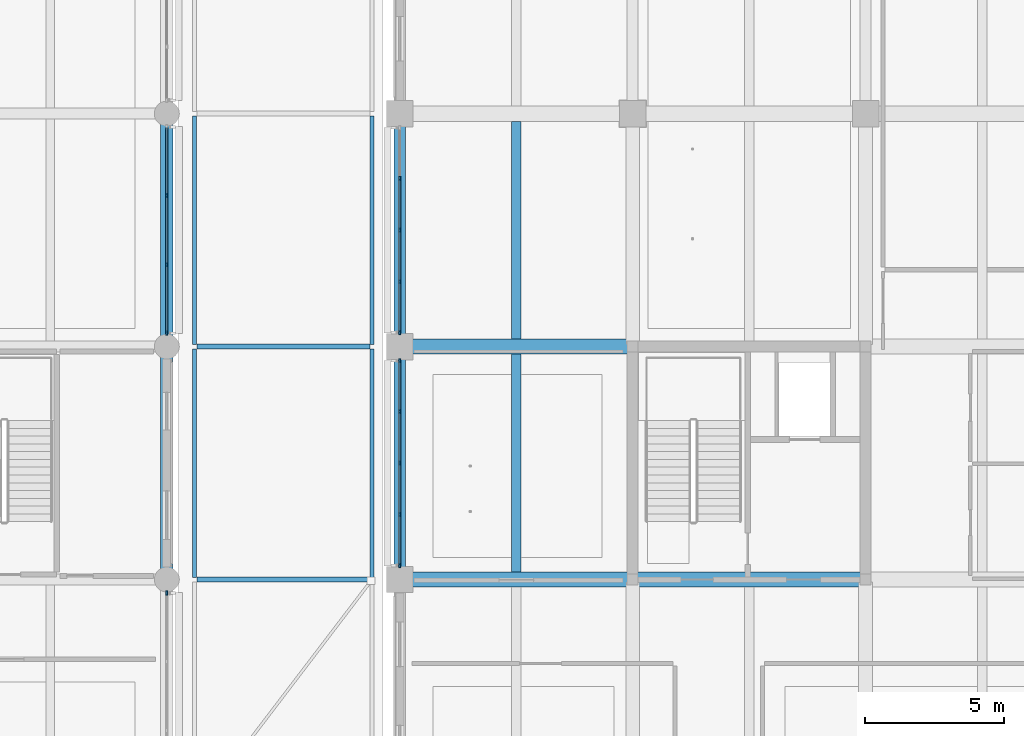
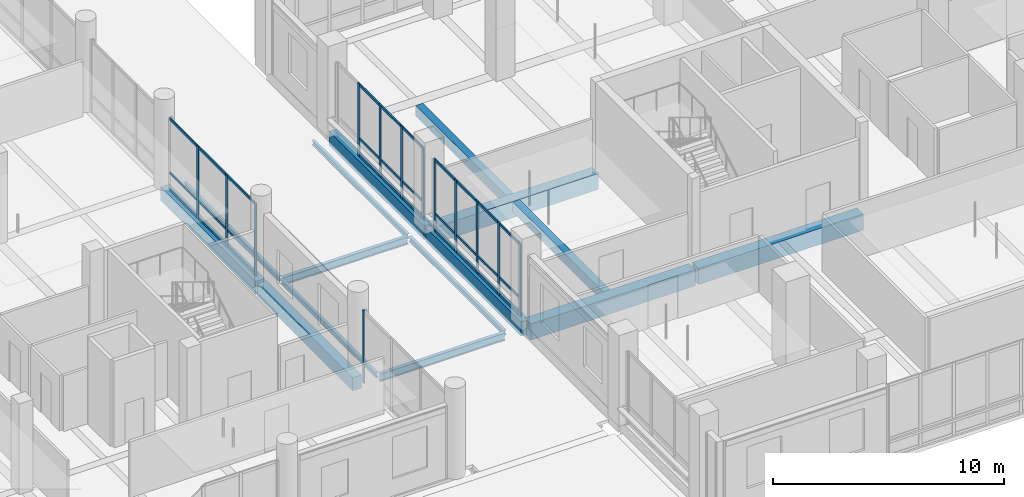
# One storey, part 10 of 128: 43 members, 15 beams, 4 elements without a shape of their own.
"""IFC4 building model written with IfcOpenShell, lengths in metres."""

from ifc_helpers import new_model, si_unit, direction, frame, origin, origin_2d, place, context, subcontext, project, spatial, rectangle, i_section, extrude, material, layer, layer_set, material_profile, profile_set, type_object, element, aggregate, save


model = new_model("IFC4")

# Units and contexts
model_context = context("Model", 3, precision=1e-05, world=origin(), true_north=direction((0.0, 1.0)))
body_context = subcontext(model_context, "Body", "Model", "MODEL_VIEW")
ifc_project = project(units=[si_unit("LENGTHUNIT", "METRE"), si_unit("AREAUNIT", "SQUARE_METRE"), si_unit("VOLUMEUNIT", "CUBIC_METRE"), si_unit("PLANEANGLEUNIT", "RADIAN"), si_unit("MASSUNIT", "GRAM", prefix="KILO")], contexts=[model_context])

# Site, building, storey
site_placement = place(None, origin())
site = spatial("IfcSite", under=ifc_project, at=site_placement, CompositionType="ELEMENT")
building_placement = place(site_placement, origin())
building = spatial("IfcBuilding", under=site, at=building_placement, Name="Telukmera Botanical Conservatory", CompositionType="ELEMENT")
storey_placement = place(building_placement, frame((0.0, 0.0, 5.39990234375)))
storey = spatial("IfcBuildingStorey", under=building, at=storey_placement, Name="L01", CompositionType="ELEMENT", Elevation=5.39990234375)

# Beams
ifc_material_1 = material(Name="Concrete C40/50", Category="concrete")
ifc_material_profile_1 = material_profile(ifc_material_1, rectangle(XDim=0.449951171875, YDim=0.699951171875, at=origin_2d()), Name="RC 450x700")
ifc_profile_set_1 = profile_set([ifc_material_profile_1], Name="Concrete C40/50")
beam_type_1 = type_object("IfcBeamType", Name="Beam_B15", PredefinedType="BEAM", material=ifc_profile_set_1)
for number, where, z_axis, x_axis, name in (
    (1, (42.0, 26.080078125, -0.349853515625), (0.0, 1.0, 0.0), (-1.0, 0.0, 0.0), "Visitor Wing Transverse Beam L01"),
    (2, (42.0, 34.47998046875, -0.349853515625), (0.0, 1.0, 0.0), (-1.0, 0.0, 0.0), "Visitor Wing Transverse Beam L01"),
):
    element("IfcBeam", number, at=place(storey_placement, frame(where, z_axis=z_axis, x_axis=x_axis)), inside=storey, type_object=beam_type_1, Name=name, PredefinedType="BEAM", context=body_context, shape_type="SweptSolid", body=[
        extrude(rectangle(XDim=0.449951171875, YDim=0.699951171875, at=origin_2d()), origin(), (0.0, 0.0, 1.0), 8.239990234375),
    ])
ifc_material_profile_2 = material_profile(ifc_material_1, rectangle(XDim=0.35009765625, YDim=0.550048828125, at=origin_2d()), Name="RC 350x550")
ifc_profile_set_2 = profile_set([ifc_material_profile_2], Name="Concrete C40/50")
beam_type_2 = type_object("IfcBeamType", Name="Beam_B21", PredefinedType="JOIST", material=ifc_profile_set_2)
beam_1_placement = place(storey_placement, frame((54.60009765625, 26.27490234375, -0.27490234375), z_axis=(0.0, 1.0, 0.0), x_axis=(-1.0, 0.0, 0.0)))
element("IfcBeam", 3, at=beam_1_placement, inside=storey, type_object=beam_type_2, Name="Tower Secondary Floor Joist L01", PredefinedType="JOIST", context=body_context, shape_type="SweptSolid", body=[
    extrude(rectangle(XDim=0.35009765625, YDim=0.550048828125, at=origin_2d()), origin(), (0.0, 0.0, 1.0), 7.85009765625),
])
beam_2_placement = place(storey_placement, frame((54.60009765625, 34.675048828125, -0.27490234375), z_axis=(0.0, 1.0, 0.0), x_axis=(-1.0, 0.0, 0.0)))
element("IfcBeam", 4, at=beam_2_placement, inside=storey, type_object=beam_type_2, Name="Tower Secondary Floor Joist L01", PredefinedType="JOIST", context=body_context, shape_type="SweptSolid", body=[
    extrude(rectangle(XDim=0.35009765625, YDim=0.550048828125, at=origin_2d()), origin(), (0.0, 0.0, 1.0), 7.849853515625),
])
ifc_material_profile_3 = material_profile(ifc_material_1, rectangle(XDim=0.550048828125, YDim=0.85009765625, at=origin_2d()), Name="RC 550x850")
ifc_profile_set_3 = profile_set([ifc_material_profile_3], Name="Concrete C40/50")
beam_type_3 = type_object("IfcBeamType", Name="Beam_B4", PredefinedType="BEAM", material=ifc_profile_set_3)
beam_3_placement = place(storey_placement, frame((50.47998046875, 26.0, -0.4248046875), z_axis=(1.0, 0.0, 0.0), x_axis=(0.0, 1.0, 0.0)))
element("IfcBeam", 5, at=beam_3_placement, inside=storey, type_object=beam_type_3, Name="Tower Grid Beam L01", PredefinedType="BEAM", context=body_context, shape_type="SweptSolid", body=[
    extrude(rectangle(XDim=0.550048828125, YDim=0.85009765625, at=origin_2d()), origin(), (0.0, 0.0, 1.0), 8.239990234375),
])
beam_4_placement = place(storey_placement, frame((58.8798828125, 26.0, -0.4248046875), z_axis=(1.0, 0.0, 0.0), x_axis=(0.0, 1.0, 0.0)))
element("IfcBeam", 6, at=beam_4_placement, inside=storey, type_object=beam_type_3, Name="Tower Grid Beam L01", PredefinedType="BEAM", context=body_context, shape_type="SweptSolid", body=[
    extrude(rectangle(XDim=0.550048828125, YDim=0.85009765625, at=origin_2d()), origin(), (0.0, 0.0, 1.0), 8.240234375),
])
beam_5_placement = place(storey_placement, frame((50.47998046875, 34.39990234375, -0.4248046875), z_axis=(1.0, 0.0, 0.0), x_axis=(0.0, 1.0, 0.0)))
element("IfcBeam", 7, at=beam_5_placement, inside=storey, type_object=beam_type_3, Name="Tower Grid Beam L01", PredefinedType="BEAM", context=body_context, shape_type="SweptSolid", body=[
    extrude(rectangle(XDim=0.550048828125, YDim=0.85009765625, at=origin_2d()), origin(), (0.0, 0.0, 1.0), 8.239990234375),
])
ifc_material_2 = material(Name="Steel S355", Category="steel")
ifc_material_profile_4 = material_profile(ifc_material_2, i_section(OverallWidth=0.1787109375, OverallDepth=0.409423828125, WebThickness=0.0087890625, FlangeThickness=0.014404296875, FilletRadius=0.01025390625, at=origin_2d()), Name="UB 406x178x67")
ifc_profile_set_4 = profile_set([ifc_material_profile_4], Name="Steel S355")
beam_type_4 = type_object("IfcBeamType", Name="Beam_SB4", PredefinedType="BEAM", material=ifc_profile_set_4)
for number, where, z_axis, x_axis, name in (
    (8, (43.080078125, 26.0, -0.364501953125), (1.0, 0.0, 0.0), (0.0, 1.0, 0.0), "Canopy Steel Girder west_arcade"),
    (9, (43.080078125, 34.39990234375, -0.364501953125), (1.0, 0.0, 0.0), (0.0, 1.0, 0.0), "Canopy Steel Girder west_arcade"),
):
    element("IfcBeam", number, at=place(storey_placement, frame(where, z_axis=z_axis, x_axis=x_axis)), inside=storey, type_object=beam_type_4, Name=name, PredefinedType="BEAM", context=body_context, shape_type="SweptSolid", body=[
        extrude(i_section(OverallWidth=0.1787109375, OverallDepth=0.409423828125, WebThickness=0.0087890625, FlangeThickness=0.014404296875, FilletRadius=0.01025390625, at=origin_2d()), origin(), (0.0, 0.0, 1.0), 6.239990234375),
    ])
ifc_material_profile_5 = material_profile(ifc_material_2, i_section(OverallWidth=0.146484375, OverallDepth=0.256103515625, WebThickness=0.00634765625, FlangeThickness=0.010986328125, FilletRadius=0.007568359375, at=origin_2d()), Name="UB 254x146x37")
ifc_profile_set_5 = profile_set([ifc_material_profile_5], Name="Steel S355")
beam_type_5 = type_object("IfcBeamType", Name="Beam_SB7", PredefinedType="JOIST", material=ifc_profile_set_5)
for number, where, z_axis, x_axis, name in (
    (10, (43.0, 26.080078125, -0.287841796875), (0.0, 1.0, 0.0), (-1.0, 0.0, 0.0), "Canopy Steel Purlin west_arcade"),
    (11, (43.0, 34.47998046875, -0.287841796875), (0.0, 1.0, 0.0), (-1.0, 0.0, 0.0), "Canopy Steel Purlin west_arcade"),
    (12, (49.39990234375, 26.080078125, -0.287841796875), (0.0, 1.0, 0.0), (-1.0, 0.0, 0.0), "Canopy Steel Purlin west_arcade"),
    (13, (49.39990234375, 34.47998046875, -0.287841796875), (0.0, 1.0, 0.0), (-1.0, 0.0, 0.0), "Canopy Steel Purlin west_arcade"),
):
    element("IfcBeam", number, at=place(storey_placement, frame(where, z_axis=z_axis, x_axis=x_axis)), inside=storey, type_object=beam_type_5, Name=name, PredefinedType="JOIST", context=body_context, shape_type="SweptSolid", body=[
        extrude(i_section(OverallWidth=0.146484375, OverallDepth=0.256103515625, WebThickness=0.00634765625, FlangeThickness=0.010986328125, FilletRadius=0.007568359375, at=origin_2d()), origin(), (0.0, 0.0, 1.0), 8.239990234375),
    ])
ifc_material_3 = material(Name="Precast concrete C40/50", Category="concrete")
ifc_material_profile_6 = material_profile(ifc_material_3, rectangle(XDim=0.39990234375, YDim=0.75, at=origin_2d()), Name="PC 400x750")
ifc_profile_set_6 = profile_set([ifc_material_profile_6], Name="Precast concrete C40/50")
beam_type_6 = type_object("IfcBeamType", Name="Beam_SP1", PredefinedType="SPANDREL", material=ifc_profile_set_6)
for number, where, z_axis, x_axis, name in (
    (14, (50.39990234375, 26.080078125, -0.375), (0.0, 1.0, 0.0), (-1.0, 0.0, 0.0), "Tower Transverse Beam L01"),
    (15, (50.39990234375, 34.47998046875, -0.375), (0.0, 1.0, 0.0), (-1.0, 0.0, 0.0), "Tower Transverse Beam L01"),
):
    element("IfcBeam", number, at=place(storey_placement, frame(where, z_axis=z_axis, x_axis=x_axis)), inside=storey, type_object=beam_type_6, Name=name, PredefinedType="SPANDREL", context=body_context, shape_type="SweptSolid", body=[
        extrude(rectangle(XDim=0.39990234375, YDim=0.75, at=origin_2d()), origin(), (0.0, 0.0, 1.0), 8.239990234375),
    ])

# Curtain wall, member
ifc_material_4 = material(Name="Anodised aluminium 6063-T6", Category="aluminium")
ifc_layer_1 = layer(ifc_material_4, 0.179931640625)
ifc_layer_set_1 = layer_set([ifc_layer_1], Name="Anodised aluminium 6063-T6")
curtain_wall_type_1 = type_object("IfcCurtainWallType", Name="Visitor Gallery Second Floor Curtain Wall 2400 Mod", PredefinedType="USERDEFINED", material=ifc_layer_set_1)
curtain_wall_1_placement = place(storey_placement, origin())
curtain_wall_1 = element("IfcCurtainWall", 16, at=curtain_wall_1_placement, inside=storey, type_object=curtain_wall_type_1, Name="Unitised Curtain Wall CW09 V3:L01:E1", ObjectType="UNITISED CURTAIN WALL", PredefinedType="USERDEFINED")
ifc_material_profile_7 = material_profile(ifc_material_4, rectangle(XDim=0.06494140625, YDim=0.159912109375, at=origin_2d()), Name="ALU MULL 65x160")
ifc_profile_set_7 = profile_set([ifc_material_profile_7], Name="Anodised aluminium 6063-T6")
member_type_1 = type_object("IfcMemberType", Name="Curtain Wall Extruded Mullion 65x160", PredefinedType="MULLION", material=ifc_profile_set_7)
member_1_placement = place(storey_placement, frame((42.0, 25.515380859375, 0.0), z_axis=(0.0, 0.0, 1.0), x_axis=(-1.0, 0.0, 0.0)))
member_1 = element("IfcMember", 17, at=member_1_placement, type_object=member_type_1, Name="CW09 mullion 4", PredefinedType="MULLION", context=body_context, shape_type="SweptSolid", body=[
    extrude(rectangle(XDim=0.06494140625, YDim=0.159912109375, at=origin_2d()), origin(), (0.0, 0.0, 1.0), 3.85009765625),
])
aggregate(curtain_wall_1, [member_1])

# Curtain wall, members
curtain_wall_2_placement = place(storey_placement, origin())
curtain_wall_2 = element("IfcCurtainWall", 18, at=curtain_wall_2_placement, inside=storey, type_object=curtain_wall_type_1, Name="Unitised Curtain Wall CW09 V3:L01:E3", ObjectType="UNITISED CURTAIN WALL", PredefinedType="USERDEFINED")
member_2_placement = place(storey_placement, frame((42.0, 34.884521484375, 0.0), z_axis=(0.0, 0.0, 1.0), x_axis=(-1.0, 0.0, 0.0)))
member_2 = element("IfcMember", 19, at=member_2_placement, type_object=member_type_1, Name="CW09 mullion 1", PredefinedType="MULLION", context=body_context, shape_type="SweptSolid", body=[
    extrude(rectangle(XDim=0.06494140625, YDim=0.159912109375, at=origin_2d()), origin(), (0.0, 0.0, 1.0), 3.85009765625),
])
member_3_placement = place(storey_placement, frame((42.0, 37.3505859375, 0.0), z_axis=(0.0, 0.0, 1.0), x_axis=(-1.0, 0.0, 0.0)))
member_3 = element("IfcMember", 20, at=member_3_placement, type_object=member_type_1, Name="CW09 mullion 2", PredefinedType="MULLION", context=body_context, shape_type="SweptSolid", body=[
    extrude(rectangle(XDim=0.06494140625, YDim=0.159912109375, at=origin_2d()), origin(), (0.0, 0.0, 1.0), 3.85009765625),
])
member_4_placement = place(storey_placement, frame((42.0, 39.849365234375, 0.0), z_axis=(0.0, 0.0, 1.0), x_axis=(-1.0, 0.0, 0.0)))
member_4 = element("IfcMember", 21, at=member_4_placement, type_object=member_type_1, Name="CW09 mullion 3", PredefinedType="MULLION", context=body_context, shape_type="SweptSolid", body=[
    extrude(rectangle(XDim=0.06494140625, YDim=0.159912109375, at=origin_2d()), origin(), (0.0, 0.0, 1.0), 3.85009765625),
])

ifc_layer_2 = layer(ifc_material_4, 0.179931640625)
ifc_layer_set_2 = layer_set([ifc_layer_2], Name="Anodised aluminium 6063-T6")
curtain_wall_type_2 = type_object("IfcCurtainWallType", Name="Tower Reference Library Curtain Wall", PredefinedType="USERDEFINED", material=ifc_layer_set_2)
curtain_wall_3_placement = place(storey_placement, origin())
curtain_wall_3 = element("IfcCurtainWall", 22, at=curtain_wall_3_placement, inside=storey, type_object=curtain_wall_type_2, Name="Unitised Curtain Wall CW13 V4:L01:W3", ObjectType="UNITISED CURTAIN WALL", PredefinedType="USERDEFINED")
member_5_placement = place(storey_placement, frame((50.39990234375, 26.509521484375, 0.0), z_axis=(0.0, 0.0, 1.0), x_axis=(-1.0, 0.0, 0.0)))
member_5 = element("IfcMember", 23, at=member_5_placement, type_object=member_type_1, Name="CW13 mullion 1", PredefinedType="MULLION", context=body_context, shape_type="SweptSolid", body=[
    extrude(rectangle(XDim=0.06494140625, YDim=0.159912109375, at=origin_2d()), origin(), (0.0, 0.0, 1.0), 3.85009765625),
])
member_6_placement = place(storey_placement, frame((50.39990234375, 28.33837890625, 0.0), z_axis=(0.0, 0.0, 1.0), x_axis=(-1.0, 0.0, 0.0)))
member_6 = element("IfcMember", 24, at=member_6_placement, type_object=member_type_1, Name="CW13 mullion 2", PredefinedType="MULLION", context=body_context, shape_type="SweptSolid", body=[
    extrude(rectangle(XDim=0.06494140625, YDim=0.159912109375, at=origin_2d()), origin(), (0.0, 0.0, 1.0), 3.85009765625),
])
member_7_placement = place(storey_placement, frame((50.39990234375, 30.199951171875, 0.0), z_axis=(0.0, 0.0, 1.0), x_axis=(-1.0, 0.0, 0.0)))
member_7 = element("IfcMember", 25, at=member_7_placement, type_object=member_type_1, Name="CW13 mullion 3", PredefinedType="MULLION", context=body_context, shape_type="SweptSolid", body=[
    extrude(rectangle(XDim=0.06494140625, YDim=0.159912109375, at=origin_2d()), origin(), (0.0, 0.0, 1.0), 3.85009765625),
])
member_8_placement = place(storey_placement, frame((50.39990234375, 32.0615234375, 0.0), z_axis=(0.0, 0.0, 1.0), x_axis=(-1.0, 0.0, 0.0)))
member_8 = element("IfcMember", 26, at=member_8_placement, type_object=member_type_1, Name="CW13 mullion 4", PredefinedType="MULLION", context=body_context, shape_type="SweptSolid", body=[
    extrude(rectangle(XDim=0.06494140625, YDim=0.159912109375, at=origin_2d()), origin(), (0.0, 0.0, 1.0), 3.85009765625),
])
member_9_placement = place(storey_placement, frame((50.39990234375, 33.890380859375, 0.0), z_axis=(0.0, 0.0, 1.0), x_axis=(-1.0, 0.0, 0.0)))
member_9 = element("IfcMember", 27, at=member_9_placement, type_object=member_type_1, Name="CW13 mullion 5", PredefinedType="MULLION", context=body_context, shape_type="SweptSolid", body=[
    extrude(rectangle(XDim=0.06494140625, YDim=0.159912109375, at=origin_2d()), origin(), (0.0, 0.0, 1.0), 3.85009765625),
])

curtain_wall_4_placement = place(storey_placement, origin())
curtain_wall_4 = element("IfcCurtainWall", 28, at=curtain_wall_4_placement, inside=storey, type_object=curtain_wall_type_2, Name="Unitised Curtain Wall CW13 V4:L01:W4", ObjectType="UNITISED CURTAIN WALL", PredefinedType="USERDEFINED")
member_10_placement = place(storey_placement, frame((50.39990234375, 34.909423828125, 0.0), z_axis=(0.0, 0.0, 1.0), x_axis=(-1.0, 0.0, 0.0)))
member_10 = element("IfcMember", 29, at=member_10_placement, type_object=member_type_1, Name="CW13 mullion 1", PredefinedType="MULLION", context=body_context, shape_type="SweptSolid", body=[
    extrude(rectangle(XDim=0.06494140625, YDim=0.159912109375, at=origin_2d()), origin(), (0.0, 0.0, 1.0), 3.85009765625),
])
member_11_placement = place(storey_placement, frame((50.39990234375, 36.738525390625, 0.0), z_axis=(0.0, 0.0, 1.0), x_axis=(-1.0, 0.0, 0.0)))
member_11 = element("IfcMember", 30, at=member_11_placement, type_object=member_type_1, Name="CW13 mullion 2", PredefinedType="MULLION", context=body_context, shape_type="SweptSolid", body=[
    extrude(rectangle(XDim=0.06494140625, YDim=0.159912109375, at=origin_2d()), origin(), (0.0, 0.0, 1.0), 3.85009765625),
])
member_12_placement = place(storey_placement, frame((50.39990234375, 38.60009765625, 0.0), z_axis=(0.0, 0.0, 1.0), x_axis=(-1.0, 0.0, 0.0)))
member_12 = element("IfcMember", 31, at=member_12_placement, type_object=member_type_1, Name="CW13 mullion 3", PredefinedType="MULLION", context=body_context, shape_type="SweptSolid", body=[
    extrude(rectangle(XDim=0.06494140625, YDim=0.159912109375, at=origin_2d()), origin(), (0.0, 0.0, 1.0), 3.85009765625),
])
member_13_placement = place(storey_placement, frame((50.39990234375, 40.46142578125, 0.0), z_axis=(0.0, 0.0, 1.0), x_axis=(-1.0, 0.0, 0.0)))
member_13 = element("IfcMember", 32, at=member_13_placement, type_object=member_type_1, Name="CW13 mullion 4", PredefinedType="MULLION", context=body_context, shape_type="SweptSolid", body=[
    extrude(rectangle(XDim=0.06494140625, YDim=0.159912109375, at=origin_2d()), origin(), (0.0, 0.0, 1.0), 3.85009765625),
])

# Member
ifc_material_profile_8 = material_profile(ifc_material_4, rectangle(XDim=0.06494140625, YDim=0.1298828125, at=origin_2d()), Name="ALU TRAN 65x130")
ifc_profile_set_8 = profile_set([ifc_material_profile_8], Name="Anodised aluminium 6063-T6")
member_type_2 = type_object("IfcMemberType", Name="Curtain Wall Extruded Transom 65x130", PredefinedType="USERDEFINED", material=ifc_profile_set_8)
member_14_placement = place(storey_placement, frame((42.0, 34.9169921875, 0.065185546875), z_axis=(0.0, 1.0, 0.0), x_axis=(-1.0, 0.0, 0.0)))
member_14 = element("IfcMember", 33, at=member_14_placement, type_object=member_type_2, Name="CW09 transom 1.1", ObjectType="TRANSOM", PredefinedType="USERDEFINED", context=body_context, shape_type="SweptSolid", body=[
    extrude(rectangle(XDim=0.06494140625, YDim=0.1298828125, at=origin_2d()), origin(), (0.0, 0.0, 1.0), 2.401123046875),
])

member_15_placement = place(storey_placement, frame((42.0, 34.9169921875, 0.9501953125), z_axis=(0.0, 1.0, 0.0), x_axis=(-1.0, 0.0, 0.0)))
member_15 = element("IfcMember", 34, at=member_15_placement, type_object=member_type_2, Name="CW09 transom 1.2", ObjectType="TRANSOM", PredefinedType="USERDEFINED", context=body_context, shape_type="SweptSolid", body=[
    extrude(rectangle(XDim=0.06494140625, YDim=0.1298828125, at=origin_2d()), origin(), (0.0, 0.0, 1.0), 2.401123046875),
])

member_16_placement = place(storey_placement, frame((42.0, 34.9169921875, 3.78515625), z_axis=(0.0, 1.0, 0.0), x_axis=(-1.0, 0.0, 0.0)))
member_16 = element("IfcMember", 35, at=member_16_placement, type_object=member_type_2, Name="CW09 transom 1.3", ObjectType="TRANSOM", PredefinedType="USERDEFINED", context=body_context, shape_type="SweptSolid", body=[
    extrude(rectangle(XDim=0.06494140625, YDim=0.1298828125, at=origin_2d()), origin(), (0.0, 0.0, 1.0), 2.401123046875),
])

member_17_placement = place(storey_placement, frame((42.0, 37.383056640625, 0.065185546875), z_axis=(0.0, 1.0, 0.0), x_axis=(-1.0, 0.0, 0.0)))
member_17 = element("IfcMember", 36, at=member_17_placement, type_object=member_type_2, Name="CW09 transom 2.1", ObjectType="TRANSOM", PredefinedType="USERDEFINED", context=body_context, shape_type="SweptSolid", body=[
    extrude(rectangle(XDim=0.06494140625, YDim=0.1298828125, at=origin_2d()), origin(), (0.0, 0.0, 1.0), 2.433837890625),
])

member_18_placement = place(storey_placement, frame((42.0, 37.383056640625, 0.9501953125), z_axis=(0.0, 1.0, 0.0), x_axis=(-1.0, 0.0, 0.0)))
member_18 = element("IfcMember", 37, at=member_18_placement, type_object=member_type_2, Name="CW09 transom 2.2", ObjectType="TRANSOM", PredefinedType="USERDEFINED", context=body_context, shape_type="SweptSolid", body=[
    extrude(rectangle(XDim=0.06494140625, YDim=0.1298828125, at=origin_2d()), origin(), (0.0, 0.0, 1.0), 2.433837890625),
])

member_19_placement = place(storey_placement, frame((42.0, 37.383056640625, 3.78515625), z_axis=(0.0, 1.0, 0.0), x_axis=(-1.0, 0.0, 0.0)))
member_19 = element("IfcMember", 38, at=member_19_placement, type_object=member_type_2, Name="CW09 transom 2.3", ObjectType="TRANSOM", PredefinedType="USERDEFINED", context=body_context, shape_type="SweptSolid", body=[
    extrude(rectangle(XDim=0.06494140625, YDim=0.1298828125, at=origin_2d()), origin(), (0.0, 0.0, 1.0), 2.433837890625),
])

member_20_placement = place(storey_placement, frame((42.0, 39.8818359375, 0.065185546875), z_axis=(0.0, 1.0, 0.0), x_axis=(-1.0, 0.0, 0.0)))
member_20 = element("IfcMember", 39, at=member_20_placement, type_object=member_type_2, Name="CW09 transom 3.1", ObjectType="TRANSOM", PredefinedType="USERDEFINED", context=body_context, shape_type="SweptSolid", body=[
    extrude(rectangle(XDim=0.06494140625, YDim=0.1298828125, at=origin_2d()), origin(), (0.0, 0.0, 1.0), 2.401123046875),
])

member_21_placement = place(storey_placement, frame((42.0, 39.8818359375, 0.9501953125), z_axis=(0.0, 1.0, 0.0), x_axis=(-1.0, 0.0, 0.0)))
member_21 = element("IfcMember", 40, at=member_21_placement, type_object=member_type_2, Name="CW09 transom 3.2", ObjectType="TRANSOM", PredefinedType="USERDEFINED", context=body_context, shape_type="SweptSolid", body=[
    extrude(rectangle(XDim=0.06494140625, YDim=0.1298828125, at=origin_2d()), origin(), (0.0, 0.0, 1.0), 2.401123046875),
])

member_22_placement = place(storey_placement, frame((42.0, 39.8818359375, 3.78515625), z_axis=(0.0, 1.0, 0.0), x_axis=(-1.0, 0.0, 0.0)))
member_22 = element("IfcMember", 41, at=member_22_placement, type_object=member_type_2, Name="CW09 transom 3.3", ObjectType="TRANSOM", PredefinedType="USERDEFINED", context=body_context, shape_type="SweptSolid", body=[
    extrude(rectangle(XDim=0.06494140625, YDim=0.1298828125, at=origin_2d()), origin(), (0.0, 0.0, 1.0), 2.401123046875),
])

aggregate(curtain_wall_2, [member_2, member_3, member_4, member_14, member_15, member_16, member_17, member_18, member_19, member_20, member_21, member_22])

member_23_placement = place(storey_placement, frame((50.39990234375, 26.5419921875, 0.065185546875), z_axis=(0.0, 1.0, 0.0), x_axis=(-1.0, 0.0, 0.0)))
member_23 = element("IfcMember", 42, at=member_23_placement, type_object=member_type_2, Name="CW13 transom 1.1", ObjectType="TRANSOM", PredefinedType="USERDEFINED", context=body_context, shape_type="SweptSolid", body=[
    extrude(rectangle(XDim=0.06494140625, YDim=0.1298828125, at=origin_2d()), origin(), (0.0, 0.0, 1.0), 1.763916015625),
])

member_24_placement = place(storey_placement, frame((50.39990234375, 26.5419921875, 0.9501953125), z_axis=(0.0, 1.0, 0.0), x_axis=(-1.0, 0.0, 0.0)))
member_24 = element("IfcMember", 43, at=member_24_placement, type_object=member_type_2, Name="CW13 transom 1.2", ObjectType="TRANSOM", PredefinedType="USERDEFINED", context=body_context, shape_type="SweptSolid", body=[
    extrude(rectangle(XDim=0.06494140625, YDim=0.1298828125, at=origin_2d()), origin(), (0.0, 0.0, 1.0), 1.763916015625),
])

member_25_placement = place(storey_placement, frame((50.39990234375, 26.5419921875, 3.78515625), z_axis=(0.0, 1.0, 0.0), x_axis=(-1.0, 0.0, 0.0)))
member_25 = element("IfcMember", 44, at=member_25_placement, type_object=member_type_2, Name="CW13 transom 1.3", ObjectType="TRANSOM", PredefinedType="USERDEFINED", context=body_context, shape_type="SweptSolid", body=[
    extrude(rectangle(XDim=0.06494140625, YDim=0.1298828125, at=origin_2d()), origin(), (0.0, 0.0, 1.0), 1.763916015625),
])

member_26_placement = place(storey_placement, frame((50.39990234375, 28.37109375, 0.065185546875), z_axis=(0.0, 1.0, 0.0), x_axis=(-1.0, 0.0, 0.0)))
member_26 = element("IfcMember", 45, at=member_26_placement, type_object=member_type_2, Name="CW13 transom 2.1", ObjectType="TRANSOM", PredefinedType="USERDEFINED", context=body_context, shape_type="SweptSolid", body=[
    extrude(rectangle(XDim=0.06494140625, YDim=0.1298828125, at=origin_2d()), origin(), (0.0, 0.0, 1.0), 1.79638671875),
])

member_27_placement = place(storey_placement, frame((50.39990234375, 28.37109375, 0.9501953125), z_axis=(0.0, 1.0, 0.0), x_axis=(-1.0, 0.0, 0.0)))
member_27 = element("IfcMember", 46, at=member_27_placement, type_object=member_type_2, Name="CW13 transom 2.2", ObjectType="TRANSOM", PredefinedType="USERDEFINED", context=body_context, shape_type="SweptSolid", body=[
    extrude(rectangle(XDim=0.06494140625, YDim=0.1298828125, at=origin_2d()), origin(), (0.0, 0.0, 1.0), 1.79638671875),
])

member_28_placement = place(storey_placement, frame((50.39990234375, 28.37109375, 3.78515625), z_axis=(0.0, 1.0, 0.0), x_axis=(-1.0, 0.0, 0.0)))
member_28 = element("IfcMember", 47, at=member_28_placement, type_object=member_type_2, Name="CW13 transom 2.3", ObjectType="TRANSOM", PredefinedType="USERDEFINED", context=body_context, shape_type="SweptSolid", body=[
    extrude(rectangle(XDim=0.06494140625, YDim=0.1298828125, at=origin_2d()), origin(), (0.0, 0.0, 1.0), 1.79638671875),
])

member_29_placement = place(storey_placement, frame((50.39990234375, 30.232421875, 0.065185546875), z_axis=(0.0, 1.0, 0.0), x_axis=(-1.0, 0.0, 0.0)))
member_29 = element("IfcMember", 48, at=member_29_placement, type_object=member_type_2, Name="CW13 transom 3.1", ObjectType="TRANSOM", PredefinedType="USERDEFINED", context=body_context, shape_type="SweptSolid", body=[
    extrude(rectangle(XDim=0.06494140625, YDim=0.1298828125, at=origin_2d()), origin(), (0.0, 0.0, 1.0), 1.796630859375),
])

member_30_placement = place(storey_placement, frame((50.39990234375, 30.232421875, 0.9501953125), z_axis=(0.0, 1.0, 0.0), x_axis=(-1.0, 0.0, 0.0)))
member_30 = element("IfcMember", 49, at=member_30_placement, type_object=member_type_2, Name="CW13 transom 3.2", ObjectType="TRANSOM", PredefinedType="USERDEFINED", context=body_context, shape_type="SweptSolid", body=[
    extrude(rectangle(XDim=0.06494140625, YDim=0.1298828125, at=origin_2d()), origin(), (0.0, 0.0, 1.0), 1.796630859375),
])

member_31_placement = place(storey_placement, frame((50.39990234375, 30.232421875, 3.78515625), z_axis=(0.0, 1.0, 0.0), x_axis=(-1.0, 0.0, 0.0)))
member_31 = element("IfcMember", 50, at=member_31_placement, type_object=member_type_2, Name="CW13 transom 3.3", ObjectType="TRANSOM", PredefinedType="USERDEFINED", context=body_context, shape_type="SweptSolid", body=[
    extrude(rectangle(XDim=0.06494140625, YDim=0.1298828125, at=origin_2d()), origin(), (0.0, 0.0, 1.0), 1.796630859375),
])

member_32_placement = place(storey_placement, frame((50.39990234375, 32.093994140625, 0.065185546875), z_axis=(0.0, 1.0, 0.0), x_axis=(-1.0, 0.0, 0.0)))
member_32 = element("IfcMember", 51, at=member_32_placement, type_object=member_type_2, Name="CW13 transom 4.1", ObjectType="TRANSOM", PredefinedType="USERDEFINED", context=body_context, shape_type="SweptSolid", body=[
    extrude(rectangle(XDim=0.06494140625, YDim=0.1298828125, at=origin_2d()), origin(), (0.0, 0.0, 1.0), 1.763916015625),
])

member_33_placement = place(storey_placement, frame((50.39990234375, 32.093994140625, 0.9501953125), z_axis=(0.0, 1.0, 0.0), x_axis=(-1.0, 0.0, 0.0)))
member_33 = element("IfcMember", 52, at=member_33_placement, type_object=member_type_2, Name="CW13 transom 4.2", ObjectType="TRANSOM", PredefinedType="USERDEFINED", context=body_context, shape_type="SweptSolid", body=[
    extrude(rectangle(XDim=0.06494140625, YDim=0.1298828125, at=origin_2d()), origin(), (0.0, 0.0, 1.0), 1.763916015625),
])

member_34_placement = place(storey_placement, frame((50.39990234375, 32.093994140625, 3.78515625), z_axis=(0.0, 1.0, 0.0), x_axis=(-1.0, 0.0, 0.0)))
member_34 = element("IfcMember", 53, at=member_34_placement, type_object=member_type_2, Name="CW13 transom 4.3", ObjectType="TRANSOM", PredefinedType="USERDEFINED", context=body_context, shape_type="SweptSolid", body=[
    extrude(rectangle(XDim=0.06494140625, YDim=0.1298828125, at=origin_2d()), origin(), (0.0, 0.0, 1.0), 1.763916015625),
])

aggregate(curtain_wall_3, [member_5, member_6, member_7, member_8, member_9, member_23, member_24, member_25, member_26, member_27, member_28, member_29, member_30, member_31, member_32, member_33, member_34])

member_35_placement = place(storey_placement, frame((50.39990234375, 34.94189453125, 0.065185546875), z_axis=(0.0, 1.0, 0.0), x_axis=(-1.0, 0.0, 0.0)))
member_35 = element("IfcMember", 54, at=member_35_placement, type_object=member_type_2, Name="CW13 transom 1.1", ObjectType="TRANSOM", PredefinedType="USERDEFINED", context=body_context, shape_type="SweptSolid", body=[
    extrude(rectangle(XDim=0.06494140625, YDim=0.1298828125, at=origin_2d()), origin(), (0.0, 0.0, 1.0), 1.76416015625),
])

member_36_placement = place(storey_placement, frame((50.39990234375, 34.94189453125, 0.9501953125), z_axis=(0.0, 1.0, 0.0), x_axis=(-1.0, 0.0, 0.0)))
member_36 = element("IfcMember", 55, at=member_36_placement, type_object=member_type_2, Name="CW13 transom 1.2", ObjectType="TRANSOM", PredefinedType="USERDEFINED", context=body_context, shape_type="SweptSolid", body=[
    extrude(rectangle(XDim=0.06494140625, YDim=0.1298828125, at=origin_2d()), origin(), (0.0, 0.0, 1.0), 1.76416015625),
])

member_37_placement = place(storey_placement, frame((50.39990234375, 34.94189453125, 3.78515625), z_axis=(0.0, 1.0, 0.0), x_axis=(-1.0, 0.0, 0.0)))
member_37 = element("IfcMember", 56, at=member_37_placement, type_object=member_type_2, Name="CW13 transom 1.3", ObjectType="TRANSOM", PredefinedType="USERDEFINED", context=body_context, shape_type="SweptSolid", body=[
    extrude(rectangle(XDim=0.06494140625, YDim=0.1298828125, at=origin_2d()), origin(), (0.0, 0.0, 1.0), 1.76416015625),
])

member_38_placement = place(storey_placement, frame((50.39990234375, 36.77099609375, 0.065185546875), z_axis=(0.0, 1.0, 0.0), x_axis=(-1.0, 0.0, 0.0)))
member_38 = element("IfcMember", 57, at=member_38_placement, type_object=member_type_2, Name="CW13 transom 2.1", ObjectType="TRANSOM", PredefinedType="USERDEFINED", context=body_context, shape_type="SweptSolid", body=[
    extrude(rectangle(XDim=0.06494140625, YDim=0.1298828125, at=origin_2d()), origin(), (0.0, 0.0, 1.0), 1.79638671875),
])

member_39_placement = place(storey_placement, frame((50.39990234375, 36.77099609375, 0.9501953125), z_axis=(0.0, 1.0, 0.0), x_axis=(-1.0, 0.0, 0.0)))
member_39 = element("IfcMember", 58, at=member_39_placement, type_object=member_type_2, Name="CW13 transom 2.2", ObjectType="TRANSOM", PredefinedType="USERDEFINED", context=body_context, shape_type="SweptSolid", body=[
    extrude(rectangle(XDim=0.06494140625, YDim=0.1298828125, at=origin_2d()), origin(), (0.0, 0.0, 1.0), 1.79638671875),
])

member_40_placement = place(storey_placement, frame((50.39990234375, 36.77099609375, 3.78515625), z_axis=(0.0, 1.0, 0.0), x_axis=(-1.0, 0.0, 0.0)))
member_40 = element("IfcMember", 59, at=member_40_placement, type_object=member_type_2, Name="CW13 transom 2.3", ObjectType="TRANSOM", PredefinedType="USERDEFINED", context=body_context, shape_type="SweptSolid", body=[
    extrude(rectangle(XDim=0.06494140625, YDim=0.1298828125, at=origin_2d()), origin(), (0.0, 0.0, 1.0), 1.79638671875),
])

member_41_placement = place(storey_placement, frame((50.39990234375, 38.632568359375, 0.065185546875), z_axis=(0.0, 1.0, 0.0), x_axis=(-1.0, 0.0, 0.0)))
member_41 = element("IfcMember", 60, at=member_41_placement, type_object=member_type_2, Name="CW13 transom 3.1", ObjectType="TRANSOM", PredefinedType="USERDEFINED", context=body_context, shape_type="SweptSolid", body=[
    extrude(rectangle(XDim=0.06494140625, YDim=0.1298828125, at=origin_2d()), origin(), (0.0, 0.0, 1.0), 1.79638671875),
])

member_42_placement = place(storey_placement, frame((50.39990234375, 38.632568359375, 0.9501953125), z_axis=(0.0, 1.0, 0.0), x_axis=(-1.0, 0.0, 0.0)))
member_42 = element("IfcMember", 61, at=member_42_placement, type_object=member_type_2, Name="CW13 transom 3.2", ObjectType="TRANSOM", PredefinedType="USERDEFINED", context=body_context, shape_type="SweptSolid", body=[
    extrude(rectangle(XDim=0.06494140625, YDim=0.1298828125, at=origin_2d()), origin(), (0.0, 0.0, 1.0), 1.79638671875),
])

member_43_placement = place(storey_placement, frame((50.39990234375, 38.632568359375, 3.78515625), z_axis=(0.0, 1.0, 0.0), x_axis=(-1.0, 0.0, 0.0)))
member_43 = element("IfcMember", 62, at=member_43_placement, type_object=member_type_2, Name="CW13 transom 3.3", ObjectType="TRANSOM", PredefinedType="USERDEFINED", context=body_context, shape_type="SweptSolid", body=[
    extrude(rectangle(XDim=0.06494140625, YDim=0.1298828125, at=origin_2d()), origin(), (0.0, 0.0, 1.0), 1.79638671875),
])

aggregate(curtain_wall_4, [member_10, member_11, member_12, member_13, member_35, member_36, member_37, member_38, member_39, member_40, member_41, member_42, member_43])

save(model, "model.ifc")
